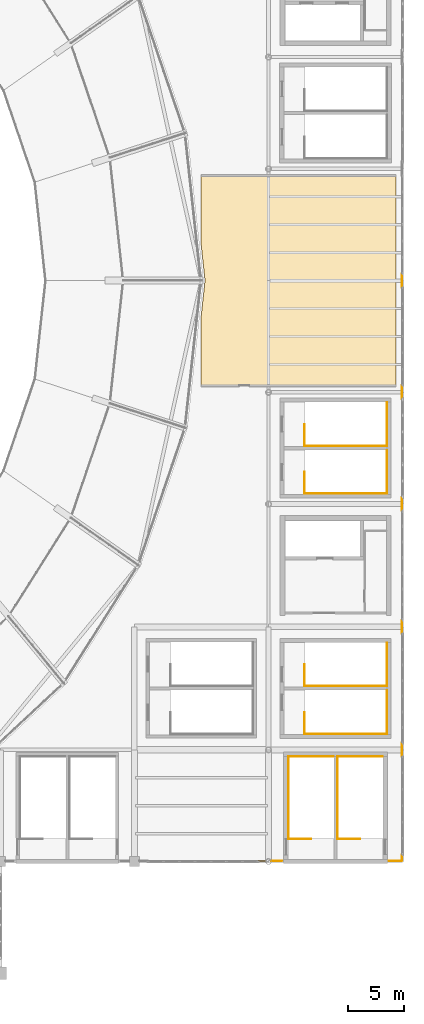
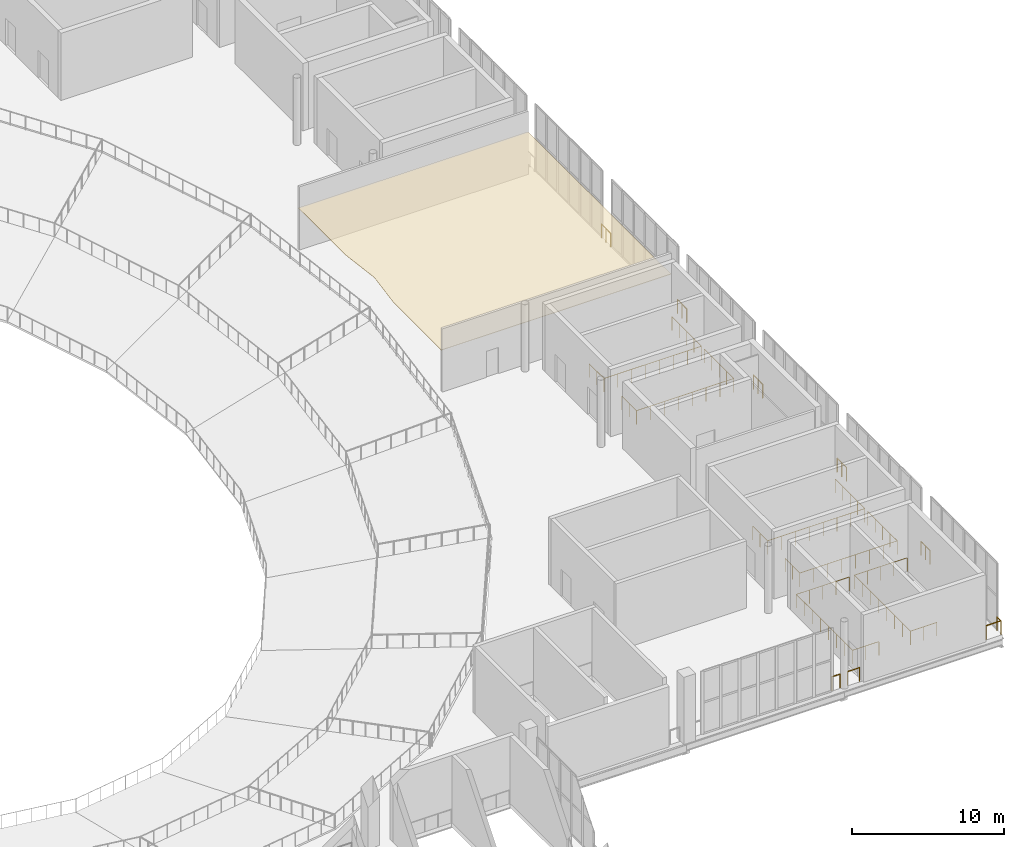
# One storey, part 73 of 74: 14 railings, 1 covering.
"""IFC4 building model written with IfcOpenShell, lengths in metres."""

from ifc_helpers import new_model, si_unit, direction, frame, origin, origin_2d, place, context, subcontext, project, spatial, polyline, circle, outline, extrude, material, layer, layer_set, type_object, element, save


model = new_model("IFC4")

# Units and contexts
model_context = context("Model", 3, precision=1e-05, world=origin(), true_north=direction((0.0, 1.0)))
body_context = subcontext(model_context, "Body", "Model", "MODEL_VIEW")
ifc_project = project(units=[si_unit("LENGTHUNIT", "METRE"), si_unit("AREAUNIT", "SQUARE_METRE"), si_unit("VOLUMEUNIT", "CUBIC_METRE"), si_unit("PLANEANGLEUNIT", "RADIAN"), si_unit("MASSUNIT", "GRAM", prefix="KILO")], contexts=[model_context])

# Site, building, storey
site_placement = place(None, origin())
site = spatial("IfcSite", under=ifc_project, at=site_placement, CompositionType="ELEMENT")
building_placement = place(site_placement, origin())
building = spatial("IfcBuilding", under=site, at=building_placement, Name="Brinegate Civic Arena", CompositionType="ELEMENT")
storey_placement = place(building_placement, frame((0.0, 0.0, 19.199951171875)))
storey = spatial("IfcBuildingStorey", under=building, at=storey_placement, Name="L04", CompositionType="ELEMENT", Elevation=19.199951171875)

# Covering
ifc_material_1 = material(Name="Acoustic perforated aluminium ceiling", Category="aluminium")
ifc_layer = layer(ifc_material_1, 0.034912109375, Name="Acoustic perforated aluminium ceiling")
ifc_layer_set = layer_set([ifc_layer], Name="Acoustic perforated aluminium ceiling")
covering_type = type_object("IfcCoveringType", Name="CEILING-ACOUSTIC-35", PredefinedType="CEILING", material=ifc_layer_set)
covering_placement = place(storey_placement, frame((0.0, 0.0, 3.31494140625)))
element("IfcCovering", 1, at=covering_placement, inside=storey, type_object=covering_type, Name="Acoustic Ceiling L04-004", PredefinedType="CEILING", context=body_context, shape_type="SweptSolid", body=[
    extrude(outline(polyline([(167.404052734375, 71.419921875), (167.406005859375, 71.4189453125), (167.407958984375, 71.41796875), (167.408935546875, 71.41796875), (167.410888671875, 71.4169921875), (167.4130859375, 71.4150390625), (167.4140625, 71.4140625), (167.4150390625, 71.4130859375), (167.4169921875, 71.410888671875), (167.41796875, 71.408935546875), (167.41796875, 71.407958984375), (167.4189453125, 71.406005859375), (167.419921875, 71.404052734375), (167.419921875, 71.402099609375), (167.419921875, 71.39990234375), (167.419921875, 52.60009765625), (167.419921875, 52.597900390625), (167.419921875, 52.595947265625), (167.4189453125, 52.593994140625), (167.41796875, 52.592041015625), (167.41796875, 52.591064453125), (167.4169921875, 52.589111328125), (167.4150390625, 52.5869140625), (167.4140625, 52.5859375), (167.4130859375, 52.5849609375), (167.410888671875, 52.5830078125), (167.408935546875, 52.58203125), (167.407958984375, 52.58203125), (167.406005859375, 52.5810546875), (167.404052734375, 52.580078125), (167.402099609375, 52.580078125), (167.39990234375, 52.580078125), (150.0, 52.580078125), (149.998046875, 52.580078125), (149.99609375, 52.580078125), (149.993896484375, 52.5810546875), (149.991943359375, 52.58203125), (149.990966796875, 52.58203125), (149.989013671875, 52.5830078125), (149.987060546875, 52.5849609375), (149.986083984375, 52.5859375), (149.985107421875, 52.5869140625), (149.98291015625, 52.589111328125), (149.98193359375, 52.591064453125), (149.98193359375, 52.592041015625), (149.98095703125, 52.593994140625), (149.97998046875, 52.595947265625), (149.97998046875, 52.597900390625), (149.97998046875, 52.60009765625), (149.97998046875, 58.85498046875), (149.97998046875, 58.85693359375), (150.320068359375, 62.0), (149.97998046875, 65.14306640625), (149.97998046875, 65.14501953125), (149.97998046875, 71.39990234375), (149.97998046875, 71.402099609375), (149.97998046875, 71.404052734375), (149.98095703125, 71.406005859375), (149.98193359375, 71.407958984375), (149.98193359375, 71.408935546875), (149.98291015625, 71.410888671875), (149.985107421875, 71.4130859375), (149.986083984375, 71.4140625), (149.987060546875, 71.4150390625), (149.989013671875, 71.4169921875), (149.990966796875, 71.41796875), (149.991943359375, 71.41796875), (149.993896484375, 71.4189453125), (149.99609375, 71.419921875), (149.998046875, 71.419921875), (150.0, 71.419921875), (167.39990234375, 71.419921875), (167.402099609375, 71.419921875), (167.404052734375, 71.419921875)])), origin(), (0.0, 0.0, 1.0), 0.03515625),
])

# Railings
ifc_material_2 = material(Name="Architectural stainless steel balustrade", Category="steel")
railing_type_1 = type_object("IfcRailingType", Name="RAIL-STAIR-GUARD-1100", PredefinedType="GUARDRAIL", material=ifc_material_2)
railing_1_placement = place(storey_placement, frame((159.800048828125, 12.02001953125, 0.0)))
element("IfcRailing", 2, at=railing_1_placement, inside=storey, type_object=railing_type_1, Name="Top Stairwell Edge Guard ST-06A L04", PredefinedType="GUARDRAIL", context=body_context, shape_type="SweptSolid", body=[
    extrude(circle(Radius=0.02392578125, at=origin_2d()), frame((-0.00146484375, 0.0, 1.09619140625), z_axis=(-1.0, 0.0, 0.0), x_axis=(0.0, -1.0, 0.0)), (0.0, 0.0, 1.0), 2.002197265625),
    extrude(circle(Radius=0.02392578125, at=origin_2d()), frame((-2.005126953125, 0.00146484375, 1.09619140625), z_axis=(0.0, 1.0, 0.0), x_axis=(-1.0, 0.0, 0.0)), (0.0, 0.0, 1.0), 7.39697265625),
    extrude(circle(Radius=0.02392578125, at=origin_2d()), frame((-2.003662109375, 7.39990234375, 1.09619140625), z_axis=(1.0, 0.0, 0.0), x_axis=(0.0, 1.0, 0.0)), (0.0, 0.0, 1.0), 4.007080078125),
    extrude(circle(Radius=0.02099609375, at=origin_2d()), origin(), (0.0, 0.0, 1.0), 1.070068359375),
    extrude(circle(Radius=0.02099609375, at=origin_2d()), frame((-1.00244140625, 0.0, 0.0)), (0.0, 0.0, 1.0), 1.070068359375),
    extrude(circle(Radius=0.02099609375, at=origin_2d()), frame((-2.005126953125, 0.0, 0.0)), (0.0, 0.0, 1.0), 1.070068359375),
    extrude(circle(Radius=0.02099609375, at=origin_2d()), frame((-2.005126953125, 1.05712890625, 0.0)), (0.0, 0.0, 1.0), 1.070068359375),
    extrude(circle(Radius=0.02099609375, at=origin_2d()), frame((-2.005126953125, 2.1142578125, 0.0)), (0.0, 0.0, 1.0), 1.070068359375),
    extrude(circle(Radius=0.02099609375, at=origin_2d()), frame((-2.005126953125, 3.17138671875, 0.0)), (0.0, 0.0, 1.0), 1.070068359375),
    extrude(circle(Radius=0.02099609375, at=origin_2d()), frame((-2.005126953125, 4.228515625, 0.0)), (0.0, 0.0, 1.0), 1.070068359375),
    extrude(circle(Radius=0.02099609375, at=origin_2d()), frame((-2.005126953125, 5.28564453125, 0.0)), (0.0, 0.0, 1.0), 1.070068359375),
    extrude(circle(Radius=0.02099609375, at=origin_2d()), frame((-2.005126953125, 6.3427734375, 0.0)), (0.0, 0.0, 1.0), 1.070068359375),
    extrude(circle(Radius=0.02099609375, at=origin_2d()), frame((-2.005126953125, 7.39990234375, 0.0)), (0.0, 0.0, 1.0), 1.070068359375),
    extrude(circle(Radius=0.02099609375, at=origin_2d()), frame((-1.002685546875, 7.39990234375, 0.0)), (0.0, 0.0, 1.0), 1.070068359375),
    extrude(circle(Radius=0.02099609375, at=origin_2d()), frame((0.0, 7.39990234375, 0.0)), (0.0, 0.0, 1.0), 1.070068359375),
    extrude(circle(Radius=0.02099609375, at=origin_2d()), frame((1.00244140625, 7.39990234375, 0.0)), (0.0, 0.0, 1.0), 1.070068359375),
    extrude(circle(Radius=0.02099609375, at=origin_2d()), frame((2.0048828125, 7.39990234375, 0.0)), (0.0, 0.0, 1.0), 1.070068359375),
])
railing_2_placement = place(storey_placement, frame((164.199951171875, 12.02001953125, 0.0)))
element("IfcRailing", 3, at=railing_2_placement, inside=storey, type_object=railing_type_1, Name="Top Stairwell Edge Guard ST-06B L04", PredefinedType="GUARDRAIL", context=body_context, shape_type="SweptSolid", body=[
    extrude(circle(Radius=0.02392578125, at=origin_2d()), frame((-0.00146484375, 0.0, 1.09619140625), z_axis=(-1.0, 0.0, 0.0), x_axis=(0.0, -1.0, 0.0)), (0.0, 0.0, 1.0), 2.001953125),
    extrude(circle(Radius=0.02392578125, at=origin_2d()), frame((-2.0048828125, 0.00146484375, 1.09619140625), z_axis=(0.0, 1.0, 0.0), x_axis=(-1.0, 0.0, 0.0)), (0.0, 0.0, 1.0), 7.39697265625),
    extrude(circle(Radius=0.02392578125, at=origin_2d()), frame((-2.00341796875, 7.39990234375, 1.09619140625), z_axis=(1.0, 0.0, 0.0), x_axis=(0.0, 1.0, 0.0)), (0.0, 0.0, 1.0), 4.007080078125),
    extrude(circle(Radius=0.02099609375, at=origin_2d()), origin(), (0.0, 0.0, 1.0), 1.070068359375),
    extrude(circle(Radius=0.02099609375, at=origin_2d()), frame((-1.00244140625, 0.0, 0.0)), (0.0, 0.0, 1.0), 1.070068359375),
    extrude(circle(Radius=0.02099609375, at=origin_2d()), frame((-2.0048828125, 0.0, 0.0)), (0.0, 0.0, 1.0), 1.070068359375),
    extrude(circle(Radius=0.02099609375, at=origin_2d()), frame((-2.0048828125, 1.05712890625, 0.0)), (0.0, 0.0, 1.0), 1.070068359375),
    extrude(circle(Radius=0.02099609375, at=origin_2d()), frame((-2.0048828125, 2.1142578125, 0.0)), (0.0, 0.0, 1.0), 1.070068359375),
    extrude(circle(Radius=0.02099609375, at=origin_2d()), frame((-2.0048828125, 3.17138671875, 0.0)), (0.0, 0.0, 1.0), 1.070068359375),
    extrude(circle(Radius=0.02099609375, at=origin_2d()), frame((-2.0048828125, 4.228515625, 0.0)), (0.0, 0.0, 1.0), 1.070068359375),
    extrude(circle(Radius=0.02099609375, at=origin_2d()), frame((-2.0048828125, 5.28564453125, 0.0)), (0.0, 0.0, 1.0), 1.070068359375),
    extrude(circle(Radius=0.02099609375, at=origin_2d()), frame((-2.0048828125, 6.3427734375, 0.0)), (0.0, 0.0, 1.0), 1.070068359375),
    extrude(circle(Radius=0.02099609375, at=origin_2d()), frame((-2.0048828125, 7.39990234375, 0.0)), (0.0, 0.0, 1.0), 1.070068359375),
    extrude(circle(Radius=0.02099609375, at=origin_2d()), frame((-1.00244140625, 7.39990234375, 0.0)), (0.0, 0.0, 1.0), 1.070068359375),
    extrude(circle(Radius=0.02099609375, at=origin_2d()), frame((0.0, 7.39990234375, 0.0)), (0.0, 0.0, 1.0), 1.070068359375),
    extrude(circle(Radius=0.02099609375, at=origin_2d()), frame((1.002685546875, 7.39990234375, 0.0)), (0.0, 0.0, 1.0), 1.070068359375),
    extrude(circle(Radius=0.02099609375, at=origin_2d()), frame((2.005126953125, 7.39990234375, 0.0)), (0.0, 0.0, 1.0), 1.070068359375),
])
railing_3_placement = place(storey_placement, frame((159.219970703125, 44.864990234375, 0.0)))
element("IfcRailing", 4, at=railing_3_placement, inside=storey, type_object=railing_type_1, Name="Top Stairwell Edge Guard ST-10A L04", PredefinedType="GUARDRAIL", context=body_context, shape_type="SweptSolid", body=[
    extrude(circle(Radius=0.02392578125, at=origin_2d()), frame((0.0, -0.00146484375, 1.09619140625), z_axis=(0.0, -1.0, 0.0), x_axis=(1.0, 0.0, 0.0)), (0.0, 0.0, 1.0), 1.93701171875),
    extrude(circle(Radius=0.02392578125, at=origin_2d()), frame((0.00146484375, -1.93994140625, 1.09619140625), z_axis=(1.0, 0.0, 0.0), x_axis=(0.0, 1.0, 0.0)), (0.0, 0.0, 1.0), 7.397216796875),
    extrude(circle(Radius=0.02392578125, at=origin_2d()), frame((7.400146484375, -1.9384765625, 1.09619140625), z_axis=(0.0, 1.0, 0.0), x_axis=(-1.0, 0.0, 0.0)), (0.0, 0.0, 1.0), 3.876953125),
    extrude(circle(Radius=0.02099609375, at=origin_2d()), origin(), (0.0, 0.0, 1.0), 1.070068359375),
    extrude(circle(Radius=0.02099609375, at=origin_2d()), frame((0.0, -0.969970703125, 0.0)), (0.0, 0.0, 1.0), 1.070068359375),
    extrude(circle(Radius=0.02099609375, at=origin_2d()), frame((0.0, -1.93994140625, 0.0)), (0.0, 0.0, 1.0), 1.070068359375),
    extrude(circle(Radius=0.02099609375, at=origin_2d()), frame((1.05712890625, -1.93994140625, 0.0)), (0.0, 0.0, 1.0), 1.070068359375),
    extrude(circle(Radius=0.02099609375, at=origin_2d()), frame((2.1142578125, -1.93994140625, 0.0)), (0.0, 0.0, 1.0), 1.070068359375),
    extrude(circle(Radius=0.02099609375, at=origin_2d()), frame((3.17138671875, -1.93994140625, 0.0)), (0.0, 0.0, 1.0), 1.070068359375),
    extrude(circle(Radius=0.02099609375, at=origin_2d()), frame((4.228759765625, -1.93994140625, 0.0)), (0.0, 0.0, 1.0), 1.070068359375),
    extrude(circle(Radius=0.02099609375, at=origin_2d()), frame((5.285888671875, -1.93994140625, 0.0)), (0.0, 0.0, 1.0), 1.070068359375),
    extrude(circle(Radius=0.02099609375, at=origin_2d()), frame((6.343017578125, -1.93994140625, 0.0)), (0.0, 0.0, 1.0), 1.070068359375),
    extrude(circle(Radius=0.02099609375, at=origin_2d()), frame((7.400146484375, -1.93994140625, 0.0)), (0.0, 0.0, 1.0), 1.070068359375),
    extrude(circle(Radius=0.02099609375, at=origin_2d()), frame((7.400146484375, -0.969970703125, 0.0)), (0.0, 0.0, 1.0), 1.070068359375),
    extrude(circle(Radius=0.02099609375, at=origin_2d()), frame((7.400146484375, 0.0, 0.0)), (0.0, 0.0, 1.0), 1.070068359375),
    extrude(circle(Radius=0.02099609375, at=origin_2d()), frame((7.400146484375, 0.969970703125, 0.0)), (0.0, 0.0, 1.0), 1.070068359375),
    extrude(circle(Radius=0.02099609375, at=origin_2d()), frame((7.400146484375, 1.93994140625, 0.0)), (0.0, 0.0, 1.0), 1.070068359375),
])
railing_4_placement = place(storey_placement, frame((159.219970703125, 49.135009765625, 0.0)))
element("IfcRailing", 5, at=railing_4_placement, inside=storey, type_object=railing_type_1, Name="Top Stairwell Edge Guard ST-10B L04", PredefinedType="GUARDRAIL", context=body_context, shape_type="SweptSolid", body=[
    extrude(circle(Radius=0.02392578125, at=origin_2d()), frame((0.0, -0.00146484375, 1.09619140625), z_axis=(0.0, -1.0, 0.0), x_axis=(1.0, 0.0, 0.0)), (0.0, 0.0, 1.0), 1.93701171875),
    extrude(circle(Radius=0.02392578125, at=origin_2d()), frame((0.00146484375, -1.93994140625, 1.09619140625), z_axis=(1.0, 0.0, 0.0), x_axis=(0.0, 1.0, 0.0)), (0.0, 0.0, 1.0), 7.397216796875),
    extrude(circle(Radius=0.02392578125, at=origin_2d()), frame((7.400146484375, -1.9384765625, 1.09619140625), z_axis=(0.0, 1.0, 0.0), x_axis=(-1.0, 0.0, 0.0)), (0.0, 0.0, 1.0), 3.876953125),
    extrude(circle(Radius=0.02099609375, at=origin_2d()), origin(), (0.0, 0.0, 1.0), 1.070068359375),
    extrude(circle(Radius=0.02099609375, at=origin_2d()), frame((0.0, -0.969970703125, 0.0)), (0.0, 0.0, 1.0), 1.070068359375),
    extrude(circle(Radius=0.02099609375, at=origin_2d()), frame((0.0, -1.93994140625, 0.0)), (0.0, 0.0, 1.0), 1.070068359375),
    extrude(circle(Radius=0.02099609375, at=origin_2d()), frame((1.05712890625, -1.93994140625, 0.0)), (0.0, 0.0, 1.0), 1.070068359375),
    extrude(circle(Radius=0.02099609375, at=origin_2d()), frame((2.1142578125, -1.93994140625, 0.0)), (0.0, 0.0, 1.0), 1.070068359375),
    extrude(circle(Radius=0.02099609375, at=origin_2d()), frame((3.17138671875, -1.93994140625, 0.0)), (0.0, 0.0, 1.0), 1.070068359375),
    extrude(circle(Radius=0.02099609375, at=origin_2d()), frame((4.228759765625, -1.93994140625, 0.0)), (0.0, 0.0, 1.0), 1.070068359375),
    extrude(circle(Radius=0.02099609375, at=origin_2d()), frame((5.285888671875, -1.93994140625, 0.0)), (0.0, 0.0, 1.0), 1.070068359375),
    extrude(circle(Radius=0.02099609375, at=origin_2d()), frame((6.343017578125, -1.93994140625, 0.0)), (0.0, 0.0, 1.0), 1.070068359375),
    extrude(circle(Radius=0.02099609375, at=origin_2d()), frame((7.400146484375, -1.93994140625, 0.0)), (0.0, 0.0, 1.0), 1.070068359375),
    extrude(circle(Radius=0.02099609375, at=origin_2d()), frame((7.400146484375, -0.969970703125, 0.0)), (0.0, 0.0, 1.0), 1.070068359375),
    extrude(circle(Radius=0.02099609375, at=origin_2d()), frame((7.400146484375, 0.0, 0.0)), (0.0, 0.0, 1.0), 1.070068359375),
    extrude(circle(Radius=0.02099609375, at=origin_2d()), frame((7.400146484375, 0.969970703125, 0.0)), (0.0, 0.0, 1.0), 1.070068359375),
    extrude(circle(Radius=0.02099609375, at=origin_2d()), frame((7.400146484375, 1.93994140625, 0.0)), (0.0, 0.0, 1.0), 1.070068359375),
])
railing_5_placement = place(storey_placement, frame((159.219970703125, 23.364990234375, 0.0)))
element("IfcRailing", 6, at=railing_5_placement, inside=storey, type_object=railing_type_1, Name="Top Stairwell Edge Guard ST-19A L04", PredefinedType="GUARDRAIL", context=body_context, shape_type="SweptSolid", body=[
    extrude(circle(Radius=0.02392578125, at=origin_2d()), frame((0.0, -0.00146484375, 1.09619140625), z_axis=(0.0, -1.0, 0.0), x_axis=(1.0, 0.0, 0.0)), (0.0, 0.0, 1.0), 1.93701171875),
    extrude(circle(Radius=0.02392578125, at=origin_2d()), frame((0.00146484375, -1.93994140625, 1.09619140625), z_axis=(1.0, 0.0, 0.0), x_axis=(0.0, 1.0, 0.0)), (0.0, 0.0, 1.0), 7.397216796875),
    extrude(circle(Radius=0.02392578125, at=origin_2d()), frame((7.400146484375, -1.9384765625, 1.09619140625), z_axis=(0.0, 1.0, 0.0), x_axis=(-1.0, 0.0, 0.0)), (0.0, 0.0, 1.0), 3.876953125),
    extrude(circle(Radius=0.02099609375, at=origin_2d()), origin(), (0.0, 0.0, 1.0), 1.070068359375),
    extrude(circle(Radius=0.02099609375, at=origin_2d()), frame((0.0, -0.969970703125, 0.0)), (0.0, 0.0, 1.0), 1.070068359375),
    extrude(circle(Radius=0.02099609375, at=origin_2d()), frame((0.0, -1.93994140625, 0.0)), (0.0, 0.0, 1.0), 1.070068359375),
    extrude(circle(Radius=0.02099609375, at=origin_2d()), frame((1.05712890625, -1.93994140625, 0.0)), (0.0, 0.0, 1.0), 1.070068359375),
    extrude(circle(Radius=0.02099609375, at=origin_2d()), frame((2.1142578125, -1.93994140625, 0.0)), (0.0, 0.0, 1.0), 1.070068359375),
    extrude(circle(Radius=0.02099609375, at=origin_2d()), frame((3.17138671875, -1.93994140625, 0.0)), (0.0, 0.0, 1.0), 1.070068359375),
    extrude(circle(Radius=0.02099609375, at=origin_2d()), frame((4.228759765625, -1.93994140625, 0.0)), (0.0, 0.0, 1.0), 1.070068359375),
    extrude(circle(Radius=0.02099609375, at=origin_2d()), frame((5.285888671875, -1.93994140625, 0.0)), (0.0, 0.0, 1.0), 1.070068359375),
    extrude(circle(Radius=0.02099609375, at=origin_2d()), frame((6.343017578125, -1.93994140625, 0.0)), (0.0, 0.0, 1.0), 1.070068359375),
    extrude(circle(Radius=0.02099609375, at=origin_2d()), frame((7.400146484375, -1.93994140625, 0.0)), (0.0, 0.0, 1.0), 1.070068359375),
    extrude(circle(Radius=0.02099609375, at=origin_2d()), frame((7.400146484375, -0.969970703125, 0.0)), (0.0, 0.0, 1.0), 1.070068359375),
    extrude(circle(Radius=0.02099609375, at=origin_2d()), frame((7.400146484375, 0.0, 0.0)), (0.0, 0.0, 1.0), 1.070068359375),
    extrude(circle(Radius=0.02099609375, at=origin_2d()), frame((7.400146484375, 0.969970703125, 0.0)), (0.0, 0.0, 1.0), 1.070068359375),
    extrude(circle(Radius=0.02099609375, at=origin_2d()), frame((7.400146484375, 1.93994140625, 0.0)), (0.0, 0.0, 1.0), 1.070068359375),
])
railing_6_placement = place(storey_placement, frame((159.219970703125, 27.635009765625, 0.0)))
element("IfcRailing", 7, at=railing_6_placement, inside=storey, type_object=railing_type_1, Name="Top Stairwell Edge Guard ST-19B L04", PredefinedType="GUARDRAIL", context=body_context, shape_type="SweptSolid", body=[
    extrude(circle(Radius=0.02392578125, at=origin_2d()), frame((0.0, -0.00146484375, 1.09619140625), z_axis=(0.0, -1.0, 0.0), x_axis=(1.0, 0.0, 0.0)), (0.0, 0.0, 1.0), 1.93701171875),
    extrude(circle(Radius=0.02392578125, at=origin_2d()), frame((0.00146484375, -1.93994140625, 1.09619140625), z_axis=(1.0, 0.0, 0.0), x_axis=(0.0, 1.0, 0.0)), (0.0, 0.0, 1.0), 7.397216796875),
    extrude(circle(Radius=0.02392578125, at=origin_2d()), frame((7.400146484375, -1.9384765625, 1.09619140625), z_axis=(0.0, 1.0, 0.0), x_axis=(-1.0, 0.0, 0.0)), (0.0, 0.0, 1.0), 3.876953125),
    extrude(circle(Radius=0.02099609375, at=origin_2d()), origin(), (0.0, 0.0, 1.0), 1.070068359375),
    extrude(circle(Radius=0.02099609375, at=origin_2d()), frame((0.0, -0.969970703125, 0.0)), (0.0, 0.0, 1.0), 1.070068359375),
    extrude(circle(Radius=0.02099609375, at=origin_2d()), frame((0.0, -1.93994140625, 0.0)), (0.0, 0.0, 1.0), 1.070068359375),
    extrude(circle(Radius=0.02099609375, at=origin_2d()), frame((1.05712890625, -1.93994140625, 0.0)), (0.0, 0.0, 1.0), 1.070068359375),
    extrude(circle(Radius=0.02099609375, at=origin_2d()), frame((2.1142578125, -1.93994140625, 0.0)), (0.0, 0.0, 1.0), 1.070068359375),
    extrude(circle(Radius=0.02099609375, at=origin_2d()), frame((3.17138671875, -1.93994140625, 0.0)), (0.0, 0.0, 1.0), 1.070068359375),
    extrude(circle(Radius=0.02099609375, at=origin_2d()), frame((4.228759765625, -1.93994140625, 0.0)), (0.0, 0.0, 1.0), 1.070068359375),
    extrude(circle(Radius=0.02099609375, at=origin_2d()), frame((5.285888671875, -1.93994140625, 0.0)), (0.0, 0.0, 1.0), 1.070068359375),
    extrude(circle(Radius=0.02099609375, at=origin_2d()), frame((6.343017578125, -1.93994140625, 0.0)), (0.0, 0.0, 1.0), 1.070068359375),
    extrude(circle(Radius=0.02099609375, at=origin_2d()), frame((7.400146484375, -1.93994140625, 0.0)), (0.0, 0.0, 1.0), 1.070068359375),
    extrude(circle(Radius=0.02099609375, at=origin_2d()), frame((7.400146484375, -0.969970703125, 0.0)), (0.0, 0.0, 1.0), 1.070068359375),
    extrude(circle(Radius=0.02099609375, at=origin_2d()), frame((7.400146484375, 0.0, 0.0)), (0.0, 0.0, 1.0), 1.070068359375),
    extrude(circle(Radius=0.02099609375, at=origin_2d()), frame((7.400146484375, 0.969970703125, 0.0)), (0.0, 0.0, 1.0), 1.070068359375),
    extrude(circle(Radius=0.02099609375, at=origin_2d()), frame((7.400146484375, 1.93994140625, 0.0)), (0.0, 0.0, 1.0), 1.070068359375),
])
railing_type_2 = type_object("IfcRailingType", Name="RAIL-VOID-BALUSTRADE-1120", PredefinedType="BALUSTRADE", material=ifc_material_2)
for number, where, name in (
    (8, (167.929931640625, 62.60009765625, 0.0), "Deck Edge Balustrade L04-354"),
    (9, (167.929931640625, 52.60009765625, 0.0), "Deck Edge Balustrade L04-355"),
    (10, (167.929931640625, 42.60009765625, 0.0), "Deck Edge Balustrade L04-356"),
    (11, (167.929931640625, 31.60009765625, 0.0), "Deck Edge Balustrade L04-357"),
    (12, (167.929931640625, 20.60009765625, 0.0), "Deck Edge Balustrade L04-358"),
):
    element("IfcRailing", number, at=place(storey_placement, frame(where)), inside=storey, type_object=railing_type_2, Name=name, PredefinedType="BALUSTRADE", context=body_context, shape_type="SweptSolid", body=[
        extrude(circle(Radius=0.02392578125, at=origin_2d()), frame((0.0, -0.00146484375, 1.09619140625), z_axis=(0.0, -1.0, 0.0), x_axis=(1.0, 0.0, 0.0)), (0.0, 0.0, 1.0), 1.197265625),
        extrude(circle(Radius=0.02099609375, at=origin_2d()), origin(), (0.0, 0.0, 1.0), 1.070068359375),
        extrude(circle(Radius=0.02099609375, at=origin_2d()), frame((0.0, -0.60009765625, 0.0)), (0.0, 0.0, 1.0), 1.070068359375),
        extrude(circle(Radius=0.02099609375, at=origin_2d()), frame((0.0, -1.2001953125, 0.0)), (0.0, 0.0, 1.0), 1.070068359375),
    ])
railing_7_placement = place(storey_placement, frame((167.929931640625, 10.60009765625, 0.0)))
element("IfcRailing", 13, at=railing_7_placement, inside=storey, type_object=railing_type_2, Name="Deck Edge Balustrade L04-359", PredefinedType="BALUSTRADE", context=body_context, shape_type="SweptSolid", body=[
    extrude(circle(Radius=0.02392578125, at=origin_2d()), frame((0.0, -0.00146484375, 1.09619140625), z_axis=(0.0, -1.0, 0.0), x_axis=(1.0, 0.0, 0.0)), (0.0, 0.0, 1.0), 0.527099609375),
    extrude(circle(Radius=0.02392578125, at=origin_2d()), frame((-0.00146484375, -0.530029296875, 1.09619140625), z_axis=(-1.0, 0.0, 0.0), x_axis=(0.0, -1.0, 0.0)), (0.0, 0.0, 1.0), 1.126953125),
    extrude(circle(Radius=0.02099609375, at=origin_2d()), origin(), (0.0, 0.0, 1.0), 1.070068359375),
    extrude(circle(Radius=0.02099609375, at=origin_2d()), frame((0.0, -0.530029296875, 0.0)), (0.0, 0.0, 1.0), 1.070068359375),
    extrude(circle(Radius=0.02099609375, at=origin_2d()), frame((-1.1298828125, -0.530029296875, 0.0)), (0.0, 0.0, 1.0), 1.070068359375),
])
railing_8_placement = place(storey_placement, frame((157.199951171875, 10.070068359375, 0.0)))
element("IfcRailing", 14, at=railing_8_placement, inside=storey, type_object=railing_type_2, Name="Deck Edge Balustrade L04-360", PredefinedType="BALUSTRADE", context=body_context, shape_type="SweptSolid", body=[
    extrude(circle(Radius=0.02392578125, at=origin_2d()), frame((-0.00146484375, 0.0, 1.09619140625), z_axis=(-1.0, 0.0, 0.0), x_axis=(0.0, -1.0, 0.0)), (0.0, 0.0, 1.0), 0.923095703125),
    extrude(circle(Radius=0.02099609375, at=origin_2d()), origin(), (0.0, 0.0, 1.0), 1.070068359375),
    extrude(circle(Radius=0.02099609375, at=origin_2d()), frame((-0.926025390625, 0.0, 0.0)), (0.0, 0.0, 1.0), 1.070068359375),
])
railing_9_placement = place(storey_placement, frame((155.72607421875, 10.070068359375, 0.0)))
element("IfcRailing", 15, at=railing_9_placement, inside=storey, type_object=railing_type_2, Name="Deck Edge Balustrade L04-361", PredefinedType="BALUSTRADE", context=body_context, shape_type="SweptSolid", body=[
    extrude(circle(Radius=0.02392578125, at=origin_2d()), frame((-0.00146484375, 0.0, 1.09619140625), z_axis=(-1.0, 0.0, 0.0), x_axis=(0.0, -1.0, 0.0)), (0.0, 0.0, 1.0), 0.632080078125),
    extrude(circle(Radius=0.02099609375, at=origin_2d()), origin(), (0.0, 0.0, 1.0), 1.070068359375),
    extrude(circle(Radius=0.02099609375, at=origin_2d()), frame((-0.635009765625, 0.0, 0.0)), (0.0, 0.0, 1.0), 1.070068359375),
])

save(model, "model.ifc")
